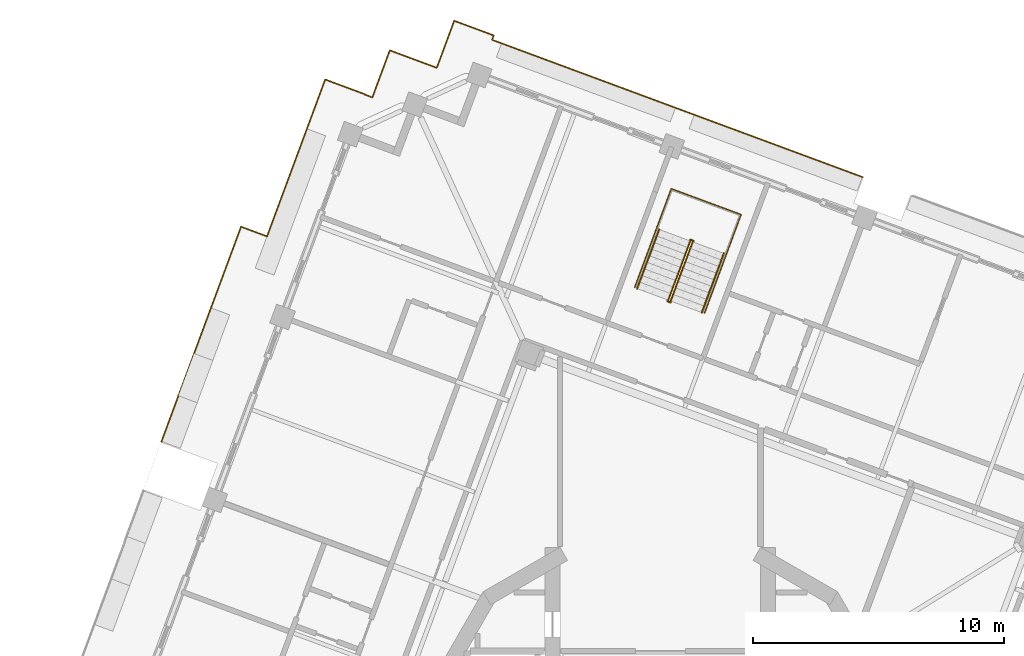
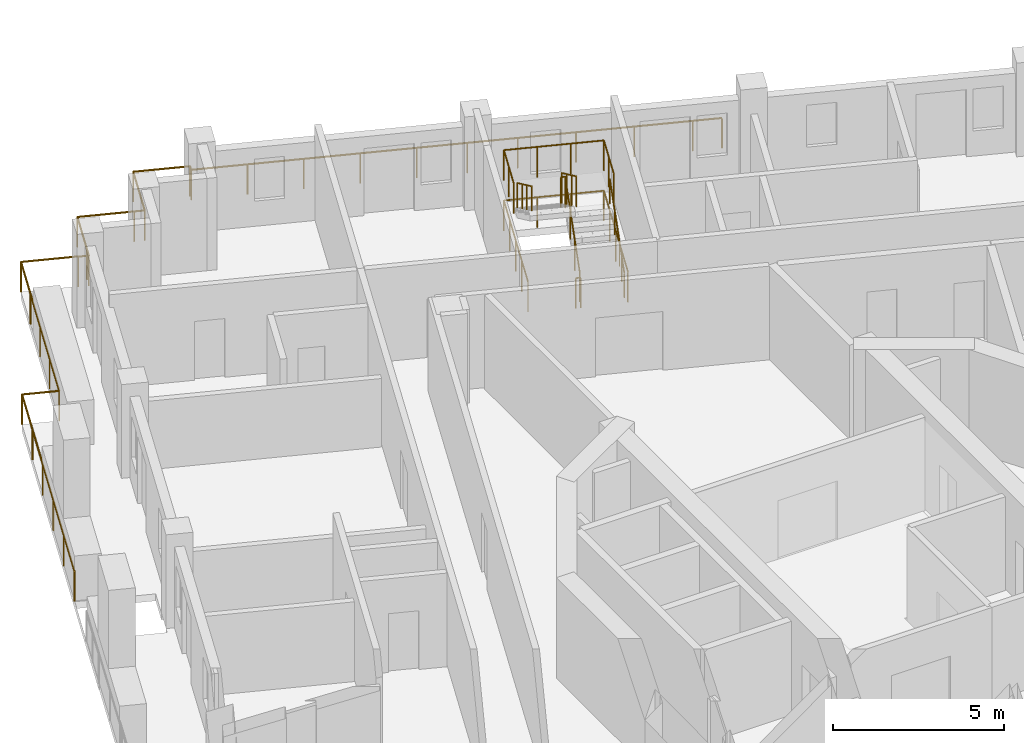
# One storey, part 17 of 19: 8 railings.
"""IFC4 building model written with IfcOpenShell, lengths in metres."""

from ifc_helpers import new_model, si_unit, direction, frame, origin, origin_2d, place, context, subcontext, project, spatial, circle, extrude, material, type_object, element, save


model = new_model("IFC4")

# Units and contexts
model_context = context("Model", 3, precision=1e-05, world=origin(), true_north=direction((0.0, 1.0)))
body_context = subcontext(model_context, "Body", "Model", "MODEL_VIEW")
ifc_project = project(units=[si_unit("LENGTHUNIT", "METRE"), si_unit("AREAUNIT", "SQUARE_METRE"), si_unit("VOLUMEUNIT", "CUBIC_METRE"), si_unit("PLANEANGLEUNIT", "RADIAN"), si_unit("MASSUNIT", "GRAM", prefix="KILO")], contexts=[model_context])

# Site, building, storey
site_placement = place(None, origin())
site = spatial("IfcSite", under=ifc_project, at=site_placement, CompositionType="ELEMENT")
building_placement = place(site_placement, origin())
building = spatial("IfcBuilding", under=site, at=building_placement, Name="Cantera Rosa Tower", CompositionType="ELEMENT")
storey_placement = place(building_placement, frame((0.0, 0.0, 320.5)))
storey = spatial("IfcBuildingStorey", under=building, at=storey_placement, Name="L71", CompositionType="ELEMENT", Elevation=320.5)

# Railings
ifc_material_1 = material(Name="Stainless steel and laminated glass", Category="steel")
railing_type_1 = type_object("IfcRailingType", Name="GUARD 1100", PredefinedType="BALUSTRADE", material=ifc_material_1)
railing_1_placement = place(storey_placement, frame((-19.911376953125, 13.051513671875, 0.0)))
element("IfcRailing", 1, at=railing_1_placement, inside=storey, type_object=railing_type_1, Name="GUARD L71-4", PredefinedType="BALUSTRADE", context=body_context, shape_type="SweptSolid", body=[
    extrude(circle(Radius=0.030029296875, at=origin_2d()), frame((0.0, 0.0, 1.070068359375), z_axis=(0.347474136688, 0.937689567145, 0.0), x_axis=(-0.937689567145, 0.347474136688, 0.0)), (0.0, 0.0, 1.0), 9.156494140625),
    extrude(circle(Radius=0.030029296875, at=origin_2d()), frame((3.181640625, 8.5859375, 1.070068359375), z_axis=(0.937674167555, -0.347515691013, 0.0), x_axis=(0.347515691013, 0.937674167555, 0.0)), (0.0, 0.0, 1.0), 1.105712890625),
    extrude(circle(Radius=0.030029296875, at=origin_2d()), frame((4.218505859375, 8.20166015625, 1.070068359375), z_axis=(0.347504967842, 0.937678141648, 0.0), x_axis=(-0.937678141648, 0.347504967842, 0.0)), (0.0, 0.0, 1.0), 6.67431640625),
    extrude(circle(Radius=0.030029296875, at=origin_2d()), frame((6.537841796875, 14.4599609375, 1.070068359375), z_axis=(0.93766211216, -0.347548217403, 0.0), x_axis=(0.347548217403, 0.93766211216, 0.0)), (0.0, 0.0, 1.0), 1.699951171875),
    extrude(circle(Radius=0.030029296875, at=origin_2d()), frame((8.1318359375, 13.869140625, 1.070068359375), z_axis=(-0.355217760624, -0.934783580588, 0.0), x_axis=(0.934783580588, -0.355217760624, 0.0)), (0.0, 0.0, 1.0), 0.012939453125),
    extrude(circle(Radius=0.030029296875, at=origin_2d()), frame((8.127197265625, 13.85693359375, 1.070068359375), z_axis=(0.937635888853, -0.347618957962, 0.0), x_axis=(0.347618957962, 0.937635888853, 0.0)), (0.0, 0.0, 1.0), 0.313232421875),
    extrude(circle(Radius=0.030029296875, at=origin_2d()), frame((8.4208984375, 13.748046875, 1.070068359375), z_axis=(0.346933448503, 0.937889749549, 0.0), x_axis=(-0.937889749549, 0.346933448503, 0.0)), (0.0, 0.0, 1.0), 0.313232421875),
    extrude(circle(Radius=0.030029296875, at=origin_2d()), frame((8.529541015625, 14.041748046875, 1.070068359375), z_axis=(0.347488755066, 0.937684149969, 0.0), x_axis=(-0.937684149969, 0.347488755066, 0.0)), (0.0, 0.0, 1.0), 1.68701171875),
    extrude(circle(Radius=0.030029296875, at=origin_2d()), frame((9.11572265625, 15.62353515625, 1.070068359375), z_axis=(0.937684149969, -0.347488755066, 0.0), x_axis=(0.347488755066, 0.937684149969, 0.0)), (0.0, 0.0, 1.0), 1.68701171875),
    extrude(circle(Radius=0.030029296875, at=origin_2d()), frame((10.697509765625, 15.037353515625, 1.070068359375), z_axis=(0.937635888853, -0.347618957962, 0.0), x_axis=(0.347618957962, 0.937635888853, 0.0)), (0.0, 0.0, 1.0), 0.313232421875),
    extrude(circle(Radius=0.030029296875, at=origin_2d()), frame((10.9912109375, 14.928466796875, 1.070068359375), z_axis=(0.347401818267, 0.937716362588, 0.0), x_axis=(-0.937716362588, 0.347401818267, 0.0)), (0.0, 0.0, 1.0), 2.0),
    extrude(circle(Radius=0.030029296875, at=origin_2d()), frame((11.68603515625, 16.803955078125, 1.070068359375), z_axis=(0.937684149969, -0.347488755066, 0.0), x_axis=(0.347488755066, 0.937684149969, 0.0)), (0.0, 0.0, 1.0), 1.68701171875),
    extrude(circle(Radius=0.030029296875, at=origin_2d()), frame((13.267822265625, 16.2177734375, 1.070068359375), z_axis=(-0.347399426404, -0.937717248713, 0.0), x_axis=(0.937717248713, -0.347399426404, 0.0)), (0.0, 0.0, 1.0), 0.18701171875),
    extrude(circle(Radius=0.030029296875, at=origin_2d()), frame((13.202880859375, 16.04248046875, 1.070068359375), z_axis=(0.937686328856, -0.347482875373, 0.0), x_axis=(0.347482875373, 0.937686328856, 0.0)), (0.0, 0.0, 1.0), 6.699951171875),
    extrude(circle(Radius=0.030029296875, at=origin_2d()), frame((19.4853515625, 13.71435546875, 1.070068359375), z_axis=(0.93768985062, -0.347473371704, 0.0), x_axis=(0.347473371704, 0.93768985062, 0.0)), (0.0, 0.0, 1.0), 3.000244140625),
    extrude(circle(Radius=0.030029296875, at=origin_2d()), frame((22.298583984375, 12.671875, 1.070068359375), z_axis=(0.937688147358, -0.347477968085, 0.0), x_axis=(0.347477968085, 0.937688147358, 0.0)), (0.0, 0.0, 1.0), 5.199951171875),
    extrude(circle(Radius=0.030029296875, at=origin_2d()), frame((27.174560546875, 10.864990234375, 1.070068359375), z_axis=(0.937694580373, -0.347460607753, 0.0), x_axis=(0.347460607753, 0.937694580373, 0.0)), (0.0, 0.0, 1.0), 0.869873046875),
    extrude(circle(Radius=0.02490234375, at=origin_2d()), origin(), (0.0, 0.0, 1.0), 1.0400390625),
    extrude(circle(Radius=0.02490234375, at=origin_2d()), frame((0.63623046875, 1.71728515625, 0.0)), (0.0, 0.0, 1.0), 1.0400390625),
    extrude(circle(Radius=0.02490234375, at=origin_2d()), frame((1.272705078125, 3.434326171875, 0.0)), (0.0, 0.0, 1.0), 1.0400390625),
    extrude(circle(Radius=0.02490234375, at=origin_2d()), frame((1.908935546875, 5.151611328125, 0.0)), (0.0, 0.0, 1.0), 1.0400390625),
    extrude(circle(Radius=0.02490234375, at=origin_2d()), frame((2.54541015625, 6.86865234375, 0.0)), (0.0, 0.0, 1.0), 1.0400390625),
    extrude(circle(Radius=0.02490234375, at=origin_2d()), frame((3.181640625, 8.5859375, 0.0)), (0.0, 0.0, 1.0), 1.0400390625),
    extrude(circle(Radius=0.02490234375, at=origin_2d()), frame((4.218505859375, 8.20166015625, 0.0)), (0.0, 0.0, 1.0), 1.0400390625),
    extrude(circle(Radius=0.02490234375, at=origin_2d()), frame((4.79833984375, 9.76611328125, 0.0)), (0.0, 0.0, 1.0), 1.0400390625),
    extrude(circle(Radius=0.02490234375, at=origin_2d()), frame((5.378173828125, 11.330810546875, 0.0)), (0.0, 0.0, 1.0), 1.0400390625),
    extrude(circle(Radius=0.02490234375, at=origin_2d()), frame((5.9580078125, 12.8955078125, 0.0)), (0.0, 0.0, 1.0), 1.0400390625),
    extrude(circle(Radius=0.02490234375, at=origin_2d()), frame((6.537841796875, 14.4599609375, 0.0)), (0.0, 0.0, 1.0), 1.0400390625),
    extrude(circle(Radius=0.02490234375, at=origin_2d()), frame((8.1318359375, 13.869140625, 0.0)), (0.0, 0.0, 1.0), 1.0400390625),
    extrude(circle(Radius=0.02490234375, at=origin_2d()), frame((8.127197265625, 13.85693359375, 0.0)), (0.0, 0.0, 1.0), 1.0400390625),
    extrude(circle(Radius=0.02490234375, at=origin_2d()), frame((8.4208984375, 13.748046875, 0.0)), (0.0, 0.0, 1.0), 1.0400390625),
    extrude(circle(Radius=0.02490234375, at=origin_2d()), frame((8.529541015625, 14.041748046875, 0.0)), (0.0, 0.0, 1.0), 1.0400390625),
    extrude(circle(Radius=0.02490234375, at=origin_2d()), frame((9.11572265625, 15.62353515625, 0.0)), (0.0, 0.0, 1.0), 1.0400390625),
    extrude(circle(Radius=0.02490234375, at=origin_2d()), frame((10.697509765625, 15.037353515625, 0.0)), (0.0, 0.0, 1.0), 1.0400390625),
    extrude(circle(Radius=0.02490234375, at=origin_2d()), frame((10.9912109375, 14.928466796875, 0.0)), (0.0, 0.0, 1.0), 1.0400390625),
    extrude(circle(Radius=0.02490234375, at=origin_2d()), frame((11.68603515625, 16.803955078125, 0.0)), (0.0, 0.0, 1.0), 1.0400390625),
    extrude(circle(Radius=0.02490234375, at=origin_2d()), frame((13.267822265625, 16.2177734375, 0.0)), (0.0, 0.0, 1.0), 1.0400390625),
    extrude(circle(Radius=0.02490234375, at=origin_2d()), frame((13.202880859375, 16.04248046875, 0.0)), (0.0, 0.0, 1.0), 1.0400390625),
    extrude(circle(Radius=0.02490234375, at=origin_2d()), frame((14.7734375, 15.46044921875, 0.0)), (0.0, 0.0, 1.0), 1.0400390625),
    extrude(circle(Radius=0.02490234375, at=origin_2d()), frame((16.34423828125, 14.87841796875, 0.0)), (0.0, 0.0, 1.0), 1.0400390625),
    extrude(circle(Radius=0.02490234375, at=origin_2d()), frame((17.914794921875, 14.29638671875, 0.0)), (0.0, 0.0, 1.0), 1.0400390625),
    extrude(circle(Radius=0.02490234375, at=origin_2d()), frame((19.4853515625, 13.71435546875, 0.0)), (0.0, 0.0, 1.0), 1.0400390625),
    extrude(circle(Radius=0.02490234375, at=origin_2d()), frame((20.89208984375, 13.193115234375, 0.0)), (0.0, 0.0, 1.0), 1.0400390625),
    extrude(circle(Radius=0.02490234375, at=origin_2d()), frame((22.298583984375, 12.671875, 0.0)), (0.0, 0.0, 1.0), 1.0400390625),
    extrude(circle(Radius=0.02490234375, at=origin_2d()), frame((23.923828125, 12.069580078125, 0.0)), (0.0, 0.0, 1.0), 1.0400390625),
    extrude(circle(Radius=0.02490234375, at=origin_2d()), frame((25.54931640625, 11.46728515625, 0.0)), (0.0, 0.0, 1.0), 1.0400390625),
    extrude(circle(Radius=0.02490234375, at=origin_2d()), frame((27.174560546875, 10.864990234375, 0.0)), (0.0, 0.0, 1.0), 1.0400390625),
    extrude(circle(Radius=0.02490234375, at=origin_2d()), frame((27.990234375, 10.562744140625, 0.0)), (0.0, 0.0, 1.0), 1.0400390625),
])
ifc_material_2 = material(Name="Steel S355J2 (EN 10025-2)", Category="steel")
railing_type_2 = type_object("IfcRailingType", Name="STAIR GUARD 1100", PredefinedType="GUARDRAIL", material=ifc_material_2)
railing_2_placement = place(storey_placement, frame((0.412109375, 18.670166015625, 0.179931640625)))
element("IfcRailing", 2, at=railing_2_placement, inside=storey, type_object=railing_type_2, Name="L71 ST-62 stair guard 1", PredefinedType="GUARDRAIL", context=body_context, shape_type="SweptSolid", body=[
    extrude(circle(Radius=0.02392578125, at=origin_2d()), frame((0.0, 0.0, 1.076171875), z_axis=(0.292306804437, 0.788747577403, 0.540771662738), x_axis=(-0.937679794265, 0.347500508527, 0.0)), (0.0, 0.0, 1.0), 2.995849609375),
    extrude(circle(Radius=0.02392578125, at=origin_2d()), frame((0.875732421875, 2.363037109375, 2.6962890625), z_axis=(0.740919573429, 0.671593765389, 0.0), x_axis=(-0.671593765389, 0.740919573429, 0.0)), (0.0, 0.0, 1.0), 0.056396484375),
    extrude(circle(Radius=0.02392578125, at=origin_2d()), frame((0.91748046875, 2.40087890625, 2.6962890625), z_axis=(-0.937925419525, 0.346837004095, 0.0), x_axis=(-0.346837004095, -0.937925419525, 0.0)), (0.0, 0.0, 1.0), 0.14990234375),
    extrude(circle(Radius=0.02099609375, at=origin_2d()), origin(), (0.0, 0.0, 1.0), 1.052001953125),
    extrude(circle(Radius=0.02099609375, at=origin_2d()), frame((0.2919921875, 0.78759765625, 0.5400390625)), (0.0, 0.0, 1.0), 1.052001953125),
    extrude(circle(Radius=0.02099609375, at=origin_2d()), frame((0.583740234375, 1.575439453125, 1.080078125)), (0.0, 0.0, 1.0), 1.052001953125),
    extrude(circle(Radius=0.02099609375, at=origin_2d()), frame((0.875732421875, 2.363037109375, 1.6201171875)), (0.0, 0.0, 1.0), 1.052001953125),
    extrude(circle(Radius=0.02099609375, at=origin_2d()), frame((0.91748046875, 2.40087890625, 1.6201171875)), (0.0, 0.0, 1.0), 1.052001953125),
    extrude(circle(Radius=0.02099609375, at=origin_2d()), frame((0.77685546875, 2.452880859375, 1.6201171875)), (0.0, 0.0, 1.0), 1.052001953125),
])
railing_3_placement = place(storey_placement, frame((1.196044921875, 21.067138671875, 1.97998046875)))
element("IfcRailing", 3, at=railing_3_placement, inside=storey, type_object=railing_type_2, Name="L71 ST-62 stair guard 2", PredefinedType="GUARDRAIL", context=body_context, shape_type="SweptSolid", body=[
    extrude(circle(Radius=0.02392578125, at=origin_2d()), frame((0.0, 0.0, 1.076171875), z_axis=(-0.292306804437, -0.788747577403, 0.540771662738), x_axis=(0.937679794265, -0.347500508527, 0.0)), (0.0, 0.0, 1.0), 2.995849609375),
    extrude(circle(Radius=0.02099609375, at=origin_2d()), origin(), (0.0, 0.0, 1.0), 1.052001953125),
    extrude(circle(Radius=0.02099609375, at=origin_2d()), frame((-0.2919921875, -0.78759765625, 0.5400390625)), (0.0, 0.0, 1.0), 1.052001953125),
    extrude(circle(Radius=0.02099609375, at=origin_2d()), frame((-0.583740234375, -1.575439453125, 1.080078125)), (0.0, 0.0, 1.0), 1.052001953125),
    extrude(circle(Radius=0.02099609375, at=origin_2d()), frame((-0.875732421875, -2.363037109375, 1.6201171875)), (0.0, 0.0, 1.0), 1.052001953125),
])
railing_4_placement = place(storey_placement, frame((0.419189453125, 18.6142578125, 0.0)))
element("IfcRailing", 4, at=railing_4_placement, inside=storey, type_object=railing_type_2, Name="L71 ST-62 stair guard 3", PredefinedType="GUARDRAIL", context=body_context, shape_type="SweptSolid", body=[
    extrude(circle(Radius=0.02392578125, at=origin_2d()), frame((0.0, 0.0, 1.076171875), z_axis=(-0.937925419525, 0.346837004095, 0.0), x_axis=(-0.346837004095, -0.937925419525, 0.0)), (0.0, 0.0, 1.0), 0.14990234375),
    extrude(circle(Radius=0.02099609375, at=origin_2d()), origin(), (0.0, 0.0, 1.0), 1.052001953125),
    extrude(circle(Radius=0.02099609375, at=origin_2d()), frame((-0.140625, 0.052001953125, 0.0)), (0.0, 0.0, 1.0), 1.052001953125),
])
railing_5_placement = place(storey_placement, frame((1.762939453125, 18.182373046875, 0.0)))
element("IfcRailing", 5, at=railing_5_placement, inside=storey, type_object=railing_type_2, Name="L71 ST-62 stair guard 4", PredefinedType="GUARDRAIL", context=body_context, shape_type="SweptSolid", body=[
    extrude(circle(Radius=0.02392578125, at=origin_2d()), frame((0.0, 0.0, 1.076171875), z_axis=(0.347475346394, 0.937689118871, 0.0), x_axis=(-0.937689118871, 0.347475346394, 0.0)), (0.0, 0.0, 1.0), 4.197998046875),
    extrude(circle(Radius=0.02392578125, at=origin_2d()), frame((1.458740234375, 3.9365234375, 1.076171875), z_axis=(-0.937690243436, 0.347472311651, 0.0), x_axis=(-0.347472311651, -0.937690243436, 0.0)), (0.0, 0.0, 1.0), 2.969970703125),
    extrude(circle(Radius=0.02392578125, at=origin_2d()), frame((-1.326171875, 4.968505859375, 1.076171875), z_axis=(-0.347475346394, -0.937689118871, 0.0), x_axis=(0.937689118871, -0.347475346394, 0.0)), (0.0, 0.0, 1.0), 4.197998046875),
    extrude(circle(Radius=0.02099609375, at=origin_2d()), origin(), (0.0, 0.0, 1.0), 1.052001953125),
    extrude(circle(Radius=0.02099609375, at=origin_2d()), frame((0.36474609375, 0.984130859375, 0.0)), (0.0, 0.0, 1.0), 1.052001953125),
    extrude(circle(Radius=0.02099609375, at=origin_2d()), frame((0.7294921875, 1.96826171875, 0.0)), (0.0, 0.0, 1.0), 1.052001953125),
    extrude(circle(Radius=0.02099609375, at=origin_2d()), frame((1.093994140625, 2.952392578125, 0.0)), (0.0, 0.0, 1.0), 1.052001953125),
    extrude(circle(Radius=0.02099609375, at=origin_2d()), frame((1.458740234375, 3.9365234375, 0.0)), (0.0, 0.0, 1.0), 1.052001953125),
    extrude(circle(Radius=0.02099609375, at=origin_2d()), frame((0.530517578125, 4.280517578125, 0.0)), (0.0, 0.0, 1.0), 1.052001953125),
    extrude(circle(Radius=0.02099609375, at=origin_2d()), frame((-0.39794921875, 4.62451171875, 0.0)), (0.0, 0.0, 1.0), 1.052001953125),
    extrude(circle(Radius=0.02099609375, at=origin_2d()), frame((-1.326171875, 4.968505859375, 0.0)), (0.0, 0.0, 1.0), 1.052001953125),
    extrude(circle(Radius=0.02099609375, at=origin_2d()), frame((-1.69091796875, 3.984375, 0.0)), (0.0, 0.0, 1.0), 1.052001953125),
    extrude(circle(Radius=0.02099609375, at=origin_2d()), frame((-2.0556640625, 3.000244140625, 0.0)), (0.0, 0.0, 1.0), 1.052001953125),
    extrude(circle(Radius=0.02099609375, at=origin_2d()), frame((-2.420166015625, 2.01611328125, 0.0)), (0.0, 0.0, 1.0), 1.052001953125),
    extrude(circle(Radius=0.02099609375, at=origin_2d()), frame((-2.784912109375, 1.031982421875, 0.0)), (0.0, 0.0, 1.0), 1.052001953125),
])
railing_6_placement = place(storey_placement, frame((2.630126953125, 20.52294921875, 1.800048828125)))
element("IfcRailing", 6, at=railing_6_placement, inside=storey, type_object=railing_type_2, Name="L71 ST-62 stair guard 5", PredefinedType="GUARDRAIL", context=body_context, shape_type="SweptSolid", body=[
    extrude(circle(Radius=0.02392578125, at=origin_2d()), frame((0.0, 0.0, 1.076171875), z_axis=(0.347552602091, 0.937660486946, 0.0), x_axis=(-0.937660486946, 0.347552602091, 0.0)), (0.0, 0.0, 1.0), 1.7021484375),
    extrude(circle(Radius=0.02392578125, at=origin_2d()), frame((0.591552734375, 1.595947265625, 1.076171875), z_axis=(-0.937690243436, 0.347472311651, 0.0), x_axis=(-0.347472311651, -0.937690243436, 0.0)), (0.0, 0.0, 1.0), 2.969970703125),
    extrude(circle(Radius=0.02392578125, at=origin_2d()), frame((-2.193359375, 2.6279296875, 1.076171875), z_axis=(-0.347552602091, -0.937660486946, 0.0), x_axis=(0.937660486946, -0.347552602091, 0.0)), (0.0, 0.0, 1.0), 1.7021484375),
    extrude(circle(Radius=0.02099609375, at=origin_2d()), origin(), (0.0, 0.0, 1.0), 1.052001953125),
    extrude(circle(Radius=0.02099609375, at=origin_2d()), frame((0.2958984375, 0.7978515625, 0.0)), (0.0, 0.0, 1.0), 1.052001953125),
    extrude(circle(Radius=0.02099609375, at=origin_2d()), frame((0.591552734375, 1.595947265625, 0.0)), (0.0, 0.0, 1.0), 1.052001953125),
    extrude(circle(Radius=0.02099609375, at=origin_2d()), frame((-0.336669921875, 1.93994140625, 0.0)), (0.0, 0.0, 1.0), 1.052001953125),
    extrude(circle(Radius=0.02099609375, at=origin_2d()), frame((-1.26513671875, 2.283935546875, 0.0)), (0.0, 0.0, 1.0), 1.052001953125),
    extrude(circle(Radius=0.02099609375, at=origin_2d()), frame((-2.193359375, 2.6279296875, 0.0)), (0.0, 0.0, 1.0), 1.052001953125),
    extrude(circle(Radius=0.02099609375, at=origin_2d()), frame((-2.4892578125, 1.830078125, 0.0)), (0.0, 0.0, 1.0), 1.052001953125),
    extrude(circle(Radius=0.02099609375, at=origin_2d()), frame((-2.784912109375, 1.031982421875, 0.0)), (0.0, 0.0, 1.0), 1.052001953125),
])
ifc_material_3 = material(Name="Steel S355J2 (EN 10025-2)", Category="steel")
railing_type_3 = type_object("IfcRailingType", Name="STAIR HANDRAIL 900", PredefinedType="HANDRAIL", material=ifc_material_3)
railing_7_placement = place(storey_placement, frame((1.655517578125, 18.20947265625, 0.179931640625)))
element("IfcRailing", 7, at=railing_7_placement, inside=storey, type_object=railing_type_3, Name="L71 ST-62 stair handrail 1", PredefinedType="HANDRAIL", context=body_context, shape_type="SweptSolid", body=[
    extrude(circle(Radius=0.02392578125, at=origin_2d()), frame((0.0, 0.0, 0.8759765625), z_axis=(0.292325593449, 0.788716780987, 0.540806422673), x_axis=(-0.937668094043, 0.347532078253, 0.0)), (0.0, 0.0, 1.0), 2.995849609375),
    extrude(circle(Radius=0.02099609375, at=origin_2d()), origin(), (0.0, 0.0, 1.0), 0.851806640625),
    extrude(circle(Radius=0.02099609375, at=origin_2d()), frame((0.2919921875, 0.78759765625, 0.5400390625)), (0.0, 0.0, 1.0), 0.851806640625),
    extrude(circle(Radius=0.02099609375, at=origin_2d()), frame((0.583740234375, 1.5751953125, 1.080078125)), (0.0, 0.0, 1.0), 0.851806640625),
    extrude(circle(Radius=0.02099609375, at=origin_2d()), frame((0.875732421875, 2.36279296875, 1.6201171875)), (0.0, 0.0, 1.0), 0.851806640625),
])
railing_8_placement = place(storey_placement, frame((-0.04736328125, 21.52783203125, 1.97998046875)))
element("IfcRailing", 8, at=railing_8_placement, inside=storey, type_object=railing_type_3, Name="L71 ST-62 stair handrail 2", PredefinedType="HANDRAIL", context=body_context, shape_type="SweptSolid", body=[
    extrude(circle(Radius=0.02392578125, at=origin_2d()), frame((0.0, 0.0, 0.8759765625), z_axis=(-0.292325593449, -0.788716780987, 0.540806422673), x_axis=(0.937668094043, -0.347532078253, 0.0)), (0.0, 0.0, 1.0), 2.995849609375),
    extrude(circle(Radius=0.02099609375, at=origin_2d()), origin(), (0.0, 0.0, 1.0), 0.851806640625),
    extrude(circle(Radius=0.02099609375, at=origin_2d()), frame((-0.2919921875, -0.78759765625, 0.5400390625)), (0.0, 0.0, 1.0), 0.851806640625),
    extrude(circle(Radius=0.02099609375, at=origin_2d()), frame((-0.583740234375, -1.5751953125, 1.080078125)), (0.0, 0.0, 1.0), 0.851806640625),
    extrude(circle(Radius=0.02099609375, at=origin_2d()), frame((-0.875732421875, -2.36279296875, 1.6201171875)), (0.0, 0.0, 1.0), 0.851806640625),
])

save(model, "model.ifc")
